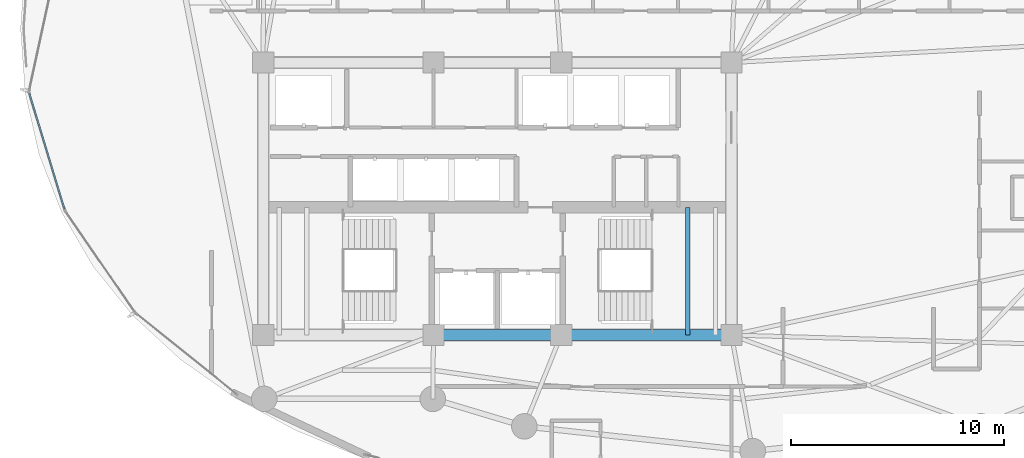
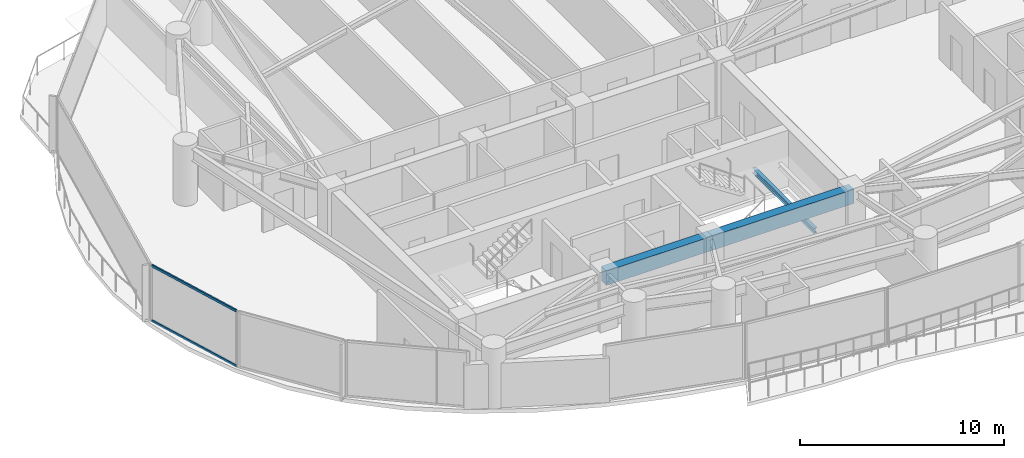
# One storey, part 7 of 34: 3 beams, 2 members, 1 element without a shape of its own.
"""IFC4 building model written with IfcOpenShell, lengths in metres."""

import ifcopenshell
import ifcopenshell.guid

model = None  # the IFC model being written
_history = None  # IfcOwnerHistory: only IFC2X3 demands one
_inside = {}  # id of a spatial element -> (the spatial element, [elements in it])
_under = {}  # id of a project, library or spatial element -> (it, [spatial elements below it])
_declared = {}  # id of a project -> (the project, [libraries it declares])
_typed = {}  # id of a type object -> (the type object, [elements of that type])
_made_of = {}  # id of a material, layer set ... -> (it, [elements and type objects made of it])


def new_model(schema):
    """Start an empty IFC model of exactly this schema.

    Asked for "IFC4X3", IfcOpenShell would pick the latest addendum, in which some entities
    have other attributes; the version numbers below select the first issue.
    IFC2X3 requires an IfcOwnerHistory on every rooted entity: one is made here for all.
    """
    global model, _history
    if schema == "IFC4X3":
        model = ifcopenshell.file(schema_version=(4, 3, 0, 0))
    else:
        model = ifcopenshell.file(schema=schema)
    _inside.clear()
    _under.clear()
    _declared.clear()
    _typed.clear()
    _made_of.clear()
    _history = None
    if model.schema == "IFC2X3":
        org = make("IfcOrganization", Name="unknown")
        user = make(
            "IfcPersonAndOrganization",
            ThePerson=make("IfcPerson", FamilyName="unknown"),
            TheOrganization=org,
        )
        app = make(
            "IfcApplication",
            ApplicationDeveloper=org,
            Version="unknown",
            ApplicationFullName="unknown",
            ApplicationIdentifier="unknown",
        )
        _history = make(
            "IfcOwnerHistory",
            OwningUser=user,
            OwningApplication=app,
            ChangeAction="ADDED",
            CreationDate=0,
        )
    return model


def make(cls, **values):
    """One entity of the class cls with the attributes given. An attribute that is None is left unset."""
    return model.create_entity(
        cls, **{name: value for name, value in values.items() if value is not None}
    )


def rooted(cls, **values):
    """An entity with a GlobalId (a new one), such as an element, a storey or a relation."""
    return make(cls, GlobalId=ifcopenshell.guid.new(), OwnerHistory=_history, **values)


def si_unit(unit_type, name, prefix=None):
    """IfcSIUnit, for example si_unit("LENGTHUNIT", "METRE", prefix="MILLI")."""
    return make("IfcSIUnit", UnitType=unit_type, Prefix=prefix, Name=name)


def assignment(units):
    """IfcUnitAssignment: the units of a project."""
    return None if units is None else make("IfcUnitAssignment", Units=units)


def point(xyz):
    """IfcCartesianPoint."""
    return None if xyz is None else make("IfcCartesianPoint", Coordinates=xyz)


def direction(xyz):
    """IfcDirection."""
    return None if xyz is None else make("IfcDirection", DirectionRatios=xyz)


def frame(location, z_axis=None, x_axis=None):
    """IfcAxis2Placement3D, a coordinate frame: its origin and axes. An axis left out is left unset."""
    return make(
        "IfcAxis2Placement3D",
        Location=point(location),
        Axis=direction(z_axis),
        RefDirection=direction(x_axis),
    )


def frame_2d(location, x_axis=None):
    """IfcAxis2Placement2D, a coordinate frame in the plane: its origin and x axis."""
    return make(
        "IfcAxis2Placement2D", Location=point(location), RefDirection=direction(x_axis)
    )


def origin():
    """The frame at (0, 0, 0) with its axes left unset."""
    return frame((0.0, 0.0, 0.0))


def origin_2d():
    """The frame at (0, 0) in the plane with its x axis left unset."""
    return frame_2d((0.0, 0.0))


def place(relative_to, where):
    """IfcLocalPlacement: puts the frame where relative to a parent placement (None: the world)."""
    return make(
        "IfcLocalPlacement", PlacementRelTo=relative_to, RelativePlacement=where
    )


def context(
    kind, dimensions, precision=None, world=None, true_north=None, identifier=None
):
    """IfcGeometricRepresentationContext, for example the 3D "Model" context."""
    return make(
        "IfcGeometricRepresentationContext",
        ContextIdentifier=identifier,
        ContextType=kind,
        CoordinateSpaceDimension=dimensions,
        Precision=precision,
        WorldCoordinateSystem=world,
        TrueNorth=true_north,
    )


def subcontext(parent, identifier, kind, view, scale=None):
    """IfcGeometricRepresentationSubContext, for example "Body" below "Model"."""
    return make(
        "IfcGeometricRepresentationSubContext",
        ContextIdentifier=identifier,
        ContextType=kind,
        ParentContext=parent,
        TargetScale=scale,
        TargetView=view,
    )


def project(units=None, contexts=None):
    """IfcProject with its units and contexts."""
    return rooted(
        "IfcProject",
        Name="project",
        RepresentationContexts=contexts,
        UnitsInContext=assignment(units),
    )


def spatial(cls, under=None, at=None, **own):
    """A site, building, storey or space (cls), placed at a placement, below another one or the project."""
    s = rooted(cls, ObjectPlacement=at, **own)
    if under is not None:
        _under.setdefault(under.id(), (under, []))[1].append(s)
    return s


def profile(cls, at=None, kind="AREA", **sizes):
    """A parametric profile (cls). Its sizes go by their IFC names, for example OverallWidth=200.0."""
    return make(cls, ProfileType=kind, Position=at, **sizes)


def rectangle(**sizes):
    """IfcRectangleProfileDef."""
    return profile("IfcRectangleProfileDef", **sizes)


def hollow_rectangle(**sizes):
    """IfcRectangleHollowProfileDef."""
    return profile("IfcRectangleHollowProfileDef", **sizes)


def i_section(**sizes):
    """IfcIShapeProfileDef."""
    return profile("IfcIShapeProfileDef", **sizes)


def extrude(swept, where, along, depth):
    """IfcExtrudedAreaSolid: the profile swept, set in the frame where, extruded along a direction by depth."""
    return make(
        "IfcExtrudedAreaSolid",
        SweptArea=swept,
        Position=where,
        ExtrudedDirection=direction(along),
        Depth=depth,
    )


def shape(context_of_items, identifier, shape_type, items):
    """IfcShapeRepresentation: the items that make up one representation, for example the "Body"."""
    return make(
        "IfcShapeRepresentation",
        ContextOfItems=context_of_items,
        RepresentationIdentifier=identifier,
        RepresentationType=shape_type,
        Items=items,
    )


def material(Name=None, Category=None):
    """IfcMaterial."""
    return make("IfcMaterial", Name=Name, Category=Category)


def layer(
    of_material, thickness, ventilated=None, Name=None, Category=None, Priority=None
):
    """IfcMaterialLayer: one layer of a wall or slab, of a material (None: an air gap)."""
    return make(
        "IfcMaterialLayer",
        Material=of_material,
        LayerThickness=thickness,
        IsVentilated=ventilated,
        Name=Name,
        Category=Category,
        Priority=Priority,
    )


def layer_set(layers, Name=None):
    """IfcMaterialLayerSet."""
    return make("IfcMaterialLayerSet", MaterialLayers=layers, LayerSetName=Name)


def material_profile(
    of_material, cross_section, Name=None, Category=None, Priority=None
):
    """IfcMaterialProfile: a cross section and its material."""
    return make(
        "IfcMaterialProfile",
        Name=Name,
        Material=of_material,
        Profile=cross_section,
        Priority=Priority,
        Category=Category,
    )


def profile_set(profiles, Name=None, composite=None):
    """IfcMaterialProfileSet."""
    return make(
        "IfcMaterialProfileSet",
        Name=Name,
        MaterialProfiles=profiles,
        CompositeProfile=composite,
    )


def made_of(thing, what):
    """Note that an element or type object is made of a material, layer set ...; save() writes the relation."""
    if what is not None:
        _made_of.setdefault(what.id(), (what, []))[1].append(thing)
    return thing


def type_object(cls, material=None, **own):
    """A type object (cls), such as IfcWallType, which elements share."""
    return made_of(rooted(cls, **own), material)


def element(
    cls,
    number,
    at=None,
    inside=None,
    cuts=None,
    type_object=None,
    material=None,
    context=None,
    identifier="Body",
    shape_type=None,
    held_by="IfcProductDefinitionShape",
    body=None,
    shapes=None,
    **own,
):
    """One element of the class cls, such as IfcWall. Its Tag is "e" and its number.

    at: its placement. inside: the storey or other place that contains it. cuts: it is an
    opening in that element (IfcRelVoidsElement). A single representation is given by context,
    identifier, shape_type and body (its items); several are given by shapes. held_by: the class
    of the entity that holds the representations. save() writes the other relations.
    """
    e = rooted(cls, Tag="e%d" % number, ObjectPlacement=at, **own)
    if body is not None:
        shapes = [shape(context, identifier, shape_type, body)]
    if shapes is not None:
        e.Representation = make(held_by, Representations=shapes)
    if inside is not None:
        _inside.setdefault(inside.id(), (inside, []))[1].append(e)
    if cuts is not None:
        rooted(
            "IfcRelVoidsElement", RelatingBuildingElement=cuts, RelatedOpeningElement=e
        )
    if type_object is not None:
        _typed.setdefault(type_object.id(), (type_object, []))[1].append(e)
    return made_of(e, material)


def aggregate(whole, parts):
    """IfcRelAggregates: a whole, such as a stair, and the parts it consists of."""
    return rooted("IfcRelAggregates", RelatingObject=whole, RelatedObjects=parts)


def save(model, path):
    """Write the relations noted so far, then the file.

    IfcRelAggregates (storeys below a building ...), IfcRelContainedInSpatialStructure (elements
    in a storey), IfcRelDefinesByType, IfcRelAssociatesMaterial and IfcRelDeclares: one each for
    every whole, place, type object, material and project.
    """
    for whole, parts in _under.values():
        aggregate(whole, parts)
    for where, things in _inside.values():
        rooted(
            "IfcRelContainedInSpatialStructure",
            RelatedElements=things,
            RelatingStructure=where,
        )
    for kind, things in _typed.values():
        rooted("IfcRelDefinesByType", RelatedObjects=things, RelatingType=kind)
    for what, things in _made_of.values():
        rooted("IfcRelAssociatesMaterial", RelatedObjects=things, RelatingMaterial=what)
    for by, libraries in _declared.values():
        rooted("IfcRelDeclares", RelatingContext=by, RelatedDefinitions=libraries)
    model.write(path)


model = new_model("IFC4")

# Units and contexts
model_context = context("Model", 3, precision=1e-05, world=origin(), true_north=direction((0.0, 1.0)))
body_context = subcontext(model_context, "Body", "Model", "MODEL_VIEW")
ifc_project = project(units=[si_unit("LENGTHUNIT", "METRE"), si_unit("AREAUNIT", "SQUARE_METRE"), si_unit("VOLUMEUNIT", "CUBIC_METRE"), si_unit("PLANEANGLEUNIT", "RADIAN"), si_unit("MASSUNIT", "GRAM", prefix="KILO")], contexts=[model_context])

# Site, building, storey
site_placement = place(None, origin())
site = spatial("IfcSite", under=ifc_project, at=site_placement, CompositionType="ELEMENT")
building_placement = place(site_placement, origin())
building = spatial("IfcBuilding", under=site, at=building_placement, Name="Kazevale Care Tower and Concert Hall", CompositionType="ELEMENT")
storey_placement = place(building_placement, frame((0.0, 0.0, 163.800048828125)))
storey = spatial("IfcBuildingStorey", under=building, at=storey_placement, Name="L43", CompositionType="ELEMENT", Elevation=163.800048828125)

# Curtain wall, members
ifc_material_1 = material(Name="Aluminium 6063-T6 and Low-E Glass", Category="aluminium")
ifc_layer = layer(ifc_material_1, 0.179931640625)
ifc_layer_set = layer_set([ifc_layer], Name="Aluminium 6063-T6 and Low-E Glass")
curtain_wall_type = type_object("IfcCurtainWallType", Name="Waist & Upper Residential Curtain Wall CW-4", PredefinedType="NOTDEFINED", material=ifc_layer_set)
curtain_wall_placement = place(storey_placement, origin())
curtain_wall = element("IfcCurtainWall", 1, at=curtain_wall_placement, inside=storey, type_object=curtain_wall_type, Name="cw:L43:f12", PredefinedType="NOTDEFINED")
ifc_material_2 = material(Name="Aluminium 6063-T6", Category="aluminium")
ifc_material_profile_1 = material_profile(ifc_material_2, hollow_rectangle(XDim=0.080078125, YDim=0.139892578125, WallThickness=0.00390625, at=origin_2d()), Name="ALU80x140x4")
ifc_profile_set_1 = profile_set([ifc_material_profile_1], Name="Aluminium 6063-T6")
member_type = type_object("IfcMemberType", Name="CW-4 Transom ALU80x140x4", PredefinedType="USERDEFINED", material=ifc_profile_set_1)
member_1_placement = place(storey_placement, frame((12.669677734375, 29.517578125, 0.0400390625), z_axis=(-0.290964759976, 0.956733770937, 0.0), x_axis=(-0.956733770937, -0.290964759976, 0.0)))
member_1 = element("IfcMember", 2, at=member_1_placement, type_object=member_type, Name="CW-4 transom 1.1", ObjectType="TRANSOM", PredefinedType="USERDEFINED", context=body_context, shape_type="SweptSolid", body=[
    extrude(hollow_rectangle(XDim=0.080078125, YDim=0.139892578125, WallThickness=0.00390625, at=origin_2d()), origin(), (0.0, 0.0, 1.0), 5.675537109375),
])
member_2_placement = place(storey_placement, frame((12.669677734375, 29.517578125, 3.320068359375), z_axis=(-0.290964759976, 0.956733770937, 0.0), x_axis=(-0.956733770937, -0.290964759976, 0.0)))
member_2 = element("IfcMember", 3, at=member_2_placement, type_object=member_type, Name="CW-4 transom 1.2", ObjectType="TRANSOM", PredefinedType="USERDEFINED", context=body_context, shape_type="SweptSolid", body=[
    extrude(hollow_rectangle(XDim=0.080078125, YDim=0.139892578125, WallThickness=0.00390625, at=origin_2d()), origin(), (0.0, 0.0, 1.0), 5.675537109375),
])
aggregate(curtain_wall, [member_1, member_2])

# Beams
ifc_material_3 = material(Name="Concrete C60", Category="concrete")
ifc_material_profile_2 = material_profile(ifc_material_3, rectangle(XDim=0.5, YDim=0.85009765625, at=origin_2d()), Name="RC-B500x850")
ifc_profile_set_2 = profile_set([ifc_material_profile_2], Name="Concrete C60")
beam_type_1 = type_object("IfcBeamType", Name="Core Coupling Beam RC500x850", PredefinedType="LINTEL", material=ifc_profile_set_2)
beam_1_placement = place(storey_placement, frame((30.0, 23.60009765625, 2.93505859375), z_axis=(1.0, 0.0, 0.0), x_axis=(0.0, 1.0, 0.0)))
element("IfcBeam", 4, at=beam_1_placement, inside=storey, type_object=beam_type_1, Name="beam:L43:coretie:2", PredefinedType="LINTEL", context=body_context, shape_type="SweptSolid", body=[
    extrude(rectangle(XDim=0.5, YDim=0.85009765625, at=origin_2d()), origin(), (0.0, 0.0, 1.0), 6.0),
])
beam_2_placement = place(storey_placement, frame((36.0, 23.60009765625, 2.93505859375), z_axis=(1.0, 0.0, 0.0), x_axis=(0.0, 1.0, 0.0)))
element("IfcBeam", 5, at=beam_2_placement, inside=storey, type_object=beam_type_1, Name="beam:L43:coretie:3", PredefinedType="LINTEL", context=body_context, shape_type="SweptSolid", body=[
    extrude(rectangle(XDim=0.5, YDim=0.85009765625, at=origin_2d()), origin(), (0.0, 0.0, 1.0), 8.0),
])
ifc_material_4 = material(Name="Steel ASTM A572 Gr 50", Category="steel")
ifc_material_profile_3 = material_profile(ifc_material_4, i_section(OverallWidth=0.202880859375, OverallDepth=0.302978515625, WebThickness=0.007568359375, FlangeThickness=0.01318359375, at=origin_2d()), Name="W310x60")
ifc_profile_set_3 = profile_set([ifc_material_profile_3], Name="Steel ASTM A572 Gr 50")
beam_type_2 = type_object("IfcBeamType", Name="Stair & Balcony Trimmer W310x60", PredefinedType="BEAM", material=ifc_profile_set_3)
beam_3_placement = place(storey_placement, frame((41.949951171875, 23.60009765625, 1.448486328125), z_axis=(0.0, 1.0, 0.0), x_axis=(-1.0, 0.0, 0.0)))
element("IfcBeam", 6, at=beam_3_placement, inside=storey, type_object=beam_type_2, Name="beam:L43:sttrim:ST2", PredefinedType="BEAM", context=body_context, shape_type="SweptSolid", body=[
    extrude(i_section(OverallWidth=0.202880859375, OverallDepth=0.302978515625, WebThickness=0.007568359375, FlangeThickness=0.01318359375, at=origin_2d()), origin(), (0.0, 0.0, 1.0), 6.0),
])

save(model, "model.ifc")
